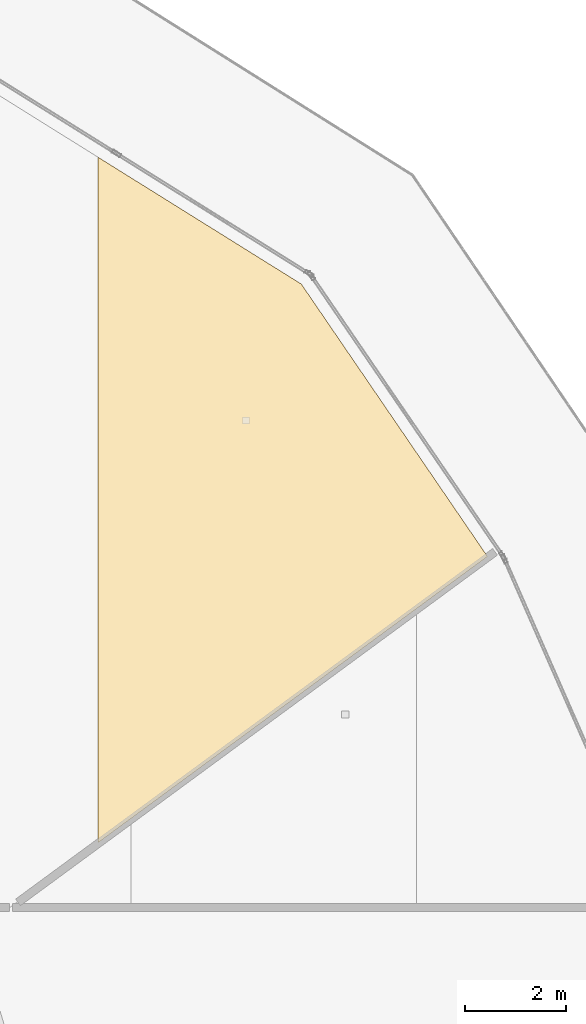
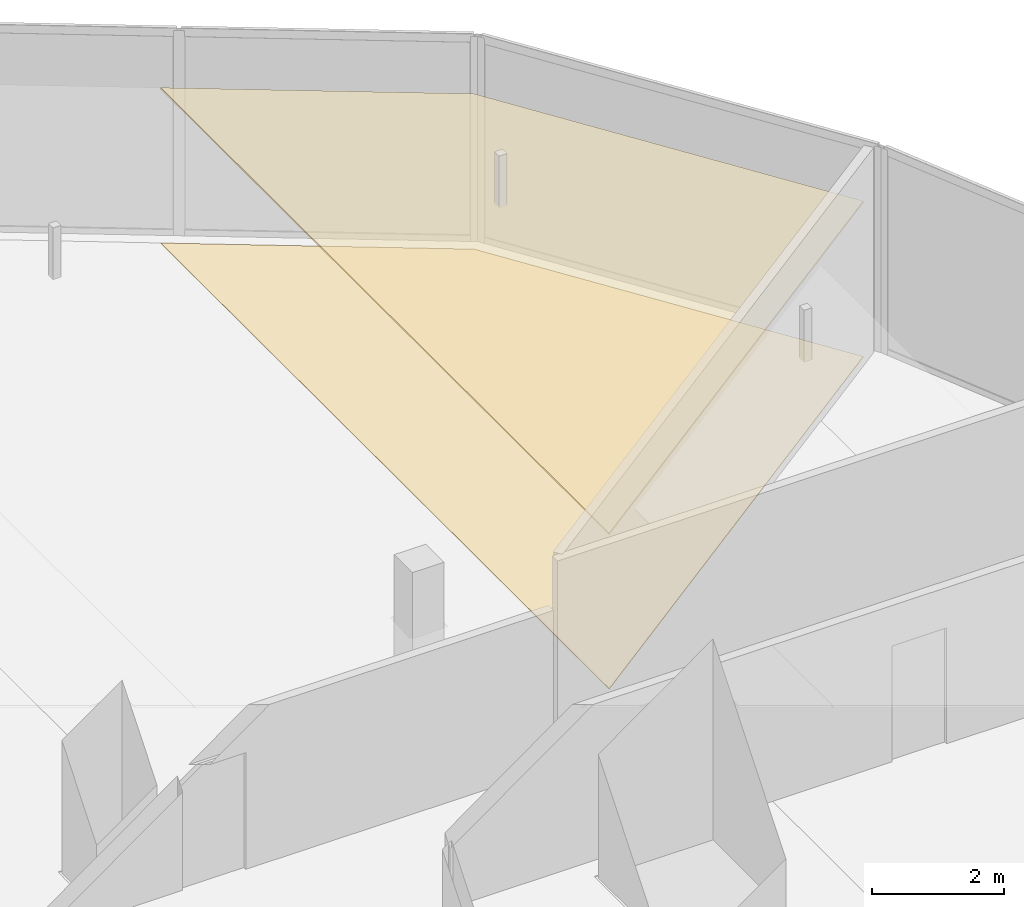
# One storey, part 40 of 40: 2 coverings.
"""IFC4 building model written with IfcOpenShell, lengths in metres."""

from ifc_helpers import new_model, si_unit, direction, frame, origin, place, context, subcontext, project, spatial, polyline, outline, extrude, material, layer, layer_set, type_object, element, save


model = new_model("IFC4")

# Units and contexts
model_context = context("Model", 3, precision=1e-05, world=origin(), true_north=direction((0.0, 1.0)))
body_context = subcontext(model_context, "Body", "Model", "MODEL_VIEW")
ifc_project = project(units=[si_unit("LENGTHUNIT", "METRE"), si_unit("AREAUNIT", "SQUARE_METRE"), si_unit("VOLUMEUNIT", "CUBIC_METRE"), si_unit("PLANEANGLEUNIT", "RADIAN"), si_unit("MASSUNIT", "GRAM", prefix="KILO")], contexts=[model_context])

# Site, building, storey
site_placement = place(None, origin())
site = spatial("IfcSite", under=ifc_project, at=site_placement, CompositionType="ELEMENT")
building_placement = place(site_placement, origin())
building = spatial("IfcBuilding", under=site, at=building_placement, Name="Qorvath Tower", CompositionType="ELEMENT")
storey_placement = place(building_placement, frame((0.0, 0.0, 138.14990234375)))
storey = spatial("IfcBuildingStorey", under=building, at=storey_placement, Name="L31", CompositionType="ELEMENT", Elevation=138.14990234375)

# Coverings
ifc_material_1 = material(Name="Acoustic mineral fibre ceiling tile", Category="gypsum")
ifc_layer_1 = layer(ifc_material_1, 0.030029296875)
ifc_layer_set_1 = layer_set([ifc_layer_1], Name="COV-CEIL")
covering_type_1 = type_object("IfcCoveringType", Name="COV-CEIL", PredefinedType="CEILING", material=ifc_layer_set_1)
covering_1_placement = place(storey_placement, frame((0.0, 0.0, 2.85009765625)))
element("IfcCovering", 1, at=covering_1_placement, inside=storey, type_object=covering_type_1, Name="L31 Suspended Acoustic Ceiling 028", PredefinedType="CEILING", context=body_context, shape_type="SweptSolid", body=[
    extrude(outline(polyline([(-8.147216796875, 25.584716796875), (-8.147216796875, 12.03369140625), (-0.447998046875, 17.691650390625), (-4.127685546875, 23.076171875), (-8.147216796875, 25.584716796875)])), origin(), (0.0, 0.0, 1.0), 0.030029296875),
])
ifc_material_2 = material(Name="Low-VOC modular carpet tile", Category="textile")
ifc_layer_2 = layer(ifc_material_2, 0.014892578125)
ifc_layer_set_2 = layer_set([ifc_layer_2], Name="COV-FLOOR-CPT")
covering_type_2 = type_object("IfcCoveringType", Name="COV-FLOOR-CPT", PredefinedType="FLOORING", material=ifc_layer_set_2)
covering_2_placement = place(storey_placement, origin())
element("IfcCovering", 2, at=covering_2_placement, inside=storey, type_object=covering_type_2, Name="L31 Floor Finish 028", PredefinedType="FLOORING", context=body_context, shape_type="SweptSolid", body=[
    extrude(outline(polyline([(-8.147216796875, 25.584716796875), (-8.147216796875, 12.03369140625), (-0.447998046875, 17.691650390625), (-4.127685546875, 23.076171875), (-8.147216796875, 25.584716796875)])), origin(), (0.0, 0.0, 1.0), 0.01513671875),
])

save(model, "model.ifc")
